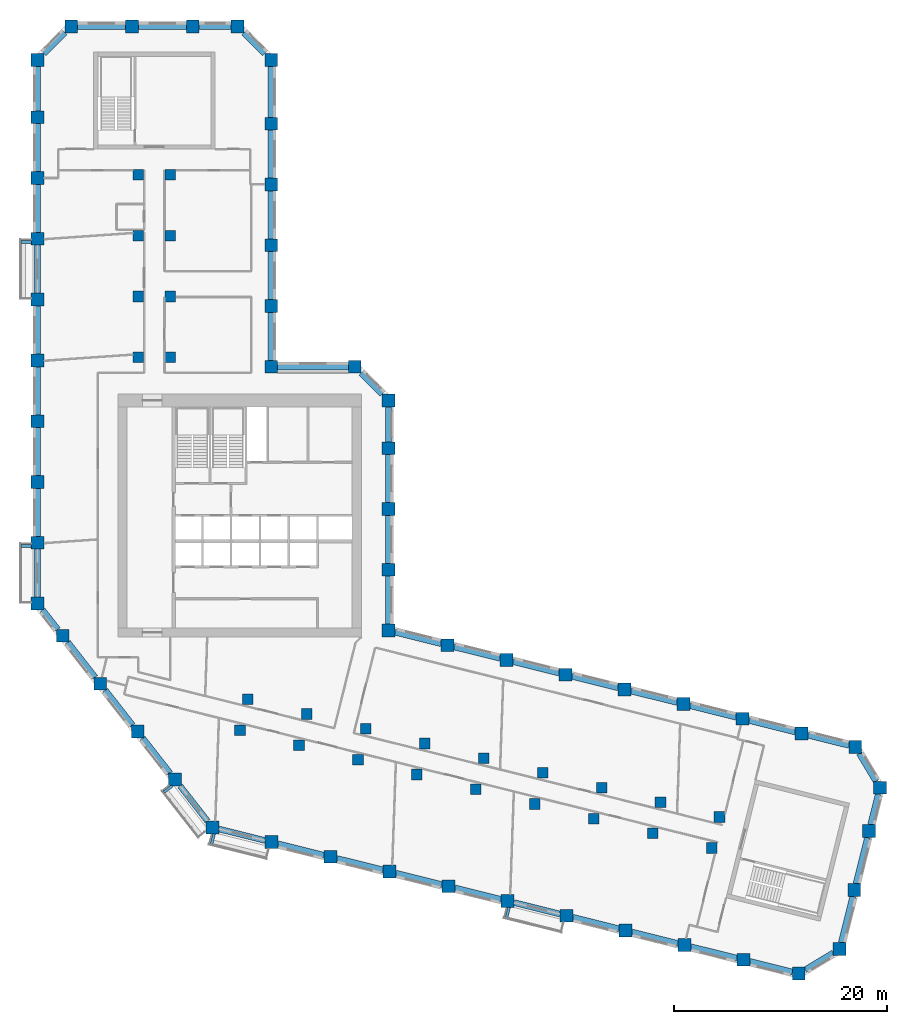
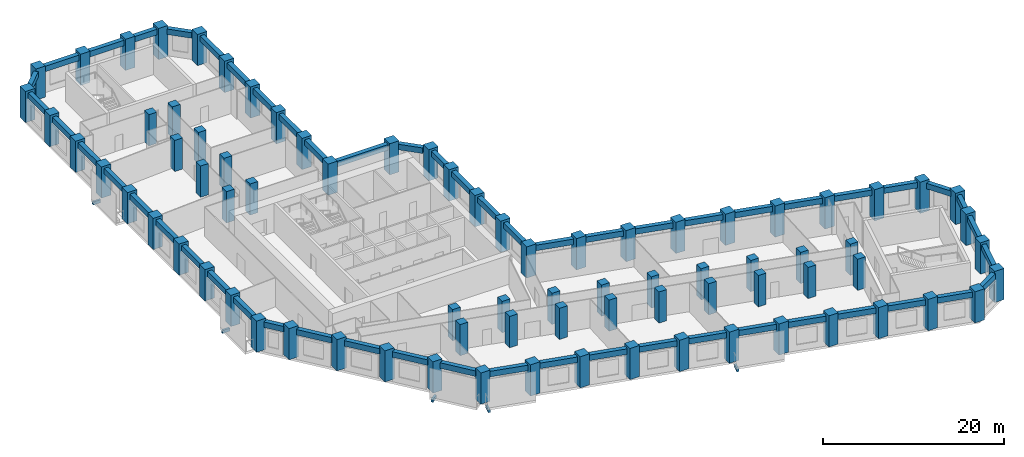
# One storey, part 1 of 10: 79 columns, 58 beams.
"""IFC4 building model written with IfcOpenShell, lengths in metres."""

from ifc_helpers import new_model, si_unit, direction, frame, origin, origin_2d, place, context, subcontext, project, spatial, rectangle, extrude, material, material_profile, profile_set, type_object, element, save


model = new_model("IFC4")

# Units and contexts
model_context = context("Model", 3, precision=1e-05, world=origin(), true_north=direction((0.0, 1.0)))
body_context = subcontext(model_context, "Body", "Model", "MODEL_VIEW")
ifc_project = project(units=[si_unit("LENGTHUNIT", "METRE"), si_unit("AREAUNIT", "SQUARE_METRE"), si_unit("VOLUMEUNIT", "CUBIC_METRE"), si_unit("PLANEANGLEUNIT", "RADIAN"), si_unit("MASSUNIT", "GRAM", prefix="KILO")], contexts=[model_context])

# Site, building, storey
site_placement = place(None, origin())
site = spatial("IfcSite", under=ifc_project, at=site_placement, CompositionType="ELEMENT")
building_placement = place(site_placement, origin())
building = spatial("IfcBuilding", under=site, at=building_placement, Name="Meshkara Civic Tower", CompositionType="ELEMENT")
storey_placement = place(building_placement, frame((0.0, 0.0, 165.60009765625)))
storey = spatial("IfcBuildingStorey", under=building, at=storey_placement, Name="L37", CompositionType="ELEMENT", Elevation=165.60009765625)

# Columns
ifc_material_1 = material(Name="Concrete C70", Category="concrete")
ifc_material_profile_1 = material_profile(ifc_material_1, rectangle(XDim=1.0, YDim=1.0, at=origin_2d()))
ifc_profile_set_1 = profile_set([ifc_material_profile_1], Name="Concrete C70")
column_type_1 = type_object("IfcColumnType", Name="Interior column RC 1000x1000 C70", PredefinedType="COLUMN", material=ifc_profile_set_1)
for number, where, z_axis, x_axis, name in (
    (1, (9.89990234375, 40.35009765625, 0.0), (0.0, 0.0, 1.0), (1.0, 0.0, 0.0), "Column SA1-04 L37"),
    (2, (9.89990234375, 46.050048828125, 0.0), (0.0, 0.0, 1.0), (1.0, 0.0, 0.0), "Column SA1-05 L37"),
    (3, (9.89990234375, 51.75, 0.0), (0.0, 0.0, 1.0), (1.0, 0.0, 0.0), "Column SA1-06 L37"),
    (4, (9.89990234375, 57.449951171875, 0.0), (0.0, 0.0, 1.0), (1.0, 0.0, 0.0), "Column SA1-07 L37"),
    (5, (12.89990234375, 40.35009765625, 0.0), (0.0, 0.0, 1.0), (1.0, 0.0, 0.0), "Column SA2-04 L37"),
    (6, (12.89990234375, 46.050048828125, 0.0), (0.0, 0.0, 1.0), (1.0, 0.0, 0.0), "Column SA2-05 L37"),
    (7, (12.89990234375, 51.75, 0.0), (0.0, 0.0, 1.0), (1.0, 0.0, 0.0), "Column SA2-06 L37"),
    (8, (12.89990234375, 57.449951171875, 0.0), (0.0, 0.0, 1.0), (1.0, 0.0, 0.0), "Column SA2-07 L37"),
    (9, (19.424072265625, 5.360107421875, 0.0), (0.0, 0.0, 1.0), (1.0, 0.0, 0.0), "Column SB1-00 L37"),
    (10, (24.9541015625, 3.98095703125, 0.0), (0.0, 0.0, 1.0), (1.0, 0.0, 0.0), "Column SB1-01 L37"),
    (11, (30.485107421875, 2.60205078125, 0.0), (0.0, 0.0, 1.0), (1.0, 0.0, 0.0), "Column SB1-02 L37"),
    (12, (36.01611328125, 1.222900390625, 0.0), (0.0, 0.0, 1.0), (1.0, 0.0, 0.0), "Column SB1-03 L37"),
    (13, (41.5458984375, -0.156005859375, 0.0), (0.0, 0.0, 1.0), (1.0, 0.0, 0.0), "Column SB1-04 L37"),
    (14, (47.076904296875, -1.534912109375, 0.0), (0.0, 0.0, 1.0), (1.0, 0.0, 0.0), "Column SB1-05 L37"),
    (15, (52.60791015625, -2.9140625, 0.0), (0.0, 0.0, 1.0), (1.0, 0.0, 0.0), "Column SB1-06 L37"),
    (16, (58.138916015625, -4.2919921875, 0.0), (0.0, 0.0, 1.0), (1.0, 0.0, 0.0), "Column SB1-07 L37"),
    (17, (63.6689453125, -5.6708984375, 0.0), (0.0, 0.0, 1.0), (1.0, 0.0, 0.0), "Column SB1-08 L37"),
    (18, (20.14892578125, 8.27099609375, 0.0), (0.0, 0.0, 1.0), (1.0, 0.0, 0.0), "Column SB2-00 L37"),
    (19, (25.679931640625, 6.89208984375, 0.0), (0.0, 0.0, 1.0), (1.0, 0.0, 0.0), "Column SB2-01 L37"),
    (20, (31.2109375, 5.512939453125, 0.0), (0.0, 0.0, 1.0), (1.0, 0.0, 0.0), "Column SB2-02 L37"),
    (21, (36.741943359375, 4.134033203125, 0.0), (0.0, 0.0, 1.0), (1.0, 0.0, 0.0), "Column SB2-03 L37"),
    (22, (42.27197265625, 2.7548828125, 0.0), (0.0, 0.0, 1.0), (1.0, 0.0, 0.0), "Column SB2-04 L37"),
    (23, (47.802978515625, 1.3759765625, 0.0), (0.0, 0.0, 1.0), (1.0, 0.0, 0.0), "Column SB2-05 L37"),
    (24, (53.333984375, -0.0029296875, 0.0), (0.0, 0.0, 1.0), (1.0, 0.0, 0.0), "Column SB2-06 L37"),
    (25, (58.864013671875, -1.382080078125, 0.0), (0.0, 0.0, 1.0), (1.0, 0.0, 0.0), "Column SB2-07 L37"),
    (26, (64.39501953125, -2.760986328125, 0.0), (0.0, 0.0, 1.0), (1.0, 0.0, 0.0), "Column SB2-08 L37"),
):
    element("IfcColumn", number, at=place(storey_placement, frame(where, z_axis=z_axis, x_axis=x_axis)), inside=storey, type_object=column_type_1, Name=name, PredefinedType="COLUMN", context=body_context, shape_type="SweptSolid", body=[
        extrude(rectangle(XDim=1.0, YDim=1.0, at=origin_2d()), origin(), (0.0, 0.0, 1.0), 4.199951171875),
    ])
ifc_material_2 = material(Name="Concrete C70", Category="concrete")
ifc_material_profile_2 = material_profile(ifc_material_2, rectangle(XDim=1.199951171875, YDim=1.199951171875, at=origin_2d()))
ifc_profile_set_2 = profile_set([ifc_material_profile_2], Name="Concrete C70")
column_type_2 = type_object("IfcColumnType", Name="Perimeter column RC 1200x1200 C70", PredefinedType="COLUMN", material=ifc_profile_set_2)
for number, where, z_axis, x_axis, name in (
    (27, (33.35009765625, 14.718994140625, 0.0), (0.0, 0.0, 1.0), (1.0, 0.0, 0.0), "Column HE00 L37"),
    (28, (33.35009765625, 20.4189453125, 0.0), (0.0, 0.0, 1.0), (1.0, 0.0, 0.0), "Column HE01 L37"),
    (29, (33.35009765625, 26.118896484375, 0.0), (0.0, 0.0, 1.0), (1.0, 0.0, 0.0), "Column HE02 L37"),
    (30, (33.35009765625, 31.819091796875, 0.0), (0.0, 0.0, 1.0), (1.0, 0.0, 0.0), "Column HE03 L37"),
    (31, (33.35009765625, 36.2939453125, 0.0), (0.0, 0.0, 1.0), (1.0, 0.0, 0.0), "Column HEE L37"),
    (32, (30.194091796875, 39.449951171875, 0.0), (0.0, 0.0, 1.0), (1.0, 0.0, 0.0), "Column HCeE L37"),
    (33, (22.35009765625, 39.449951171875, 0.0), (0.0, 0.0, 1.0), (1.0, 0.0, 0.0), "Column HN00 L37"),
    (34, (22.35009765625, 45.14990234375, 0.0), (0.0, 0.0, 1.0), (1.0, 0.0, 0.0), "Column AE01 L37"),
    (35, (22.35009765625, 50.85009765625, 0.0), (0.0, 0.0, 1.0), (1.0, 0.0, 0.0), "Column AE02 L37"),
    (36, (22.35009765625, 56.550048828125, 0.0), (0.0, 0.0, 1.0), (1.0, 0.0, 0.0), "Column AE03 L37"),
    (37, (22.35009765625, 62.25, 0.0), (0.0, 0.0, 1.0), (1.0, 0.0, 0.0), "Column AE04 L37"),
    (38, (22.35009765625, 68.214111328125, 0.0), (0.0, 0.0, 1.0), (1.0, 0.0, 0.0), "Column AEEP2 L37"),
    (39, (19.194091796875, 71.3701171875, 0.0), (0.0, 0.0, 1.0), (1.0, 0.0, 0.0), "Column ATiEP2 L37"),
    (40, (3.60595703125, 71.3701171875, 0.0), (0.0, 0.0, 1.0), (1.0, 0.0, 0.0), "Column AT00-P2 L37"),
    (41, (9.305908203125, 71.3701171875, 0.0), (0.0, 0.0, 1.0), (1.0, 0.0, 0.0), "Column AT01-P2 L37"),
    (42, (15.006103515625, 71.3701171875, 0.0), (0.0, 0.0, 1.0), (1.0, 0.0, 0.0), "Column AT02-P2 L37"),
    (43, (0.449951171875, 68.214111328125, 0.0), (0.0, 0.0, 1.0), (1.0, 0.0, 0.0), "Column ATo00-P2 L37"),
    (44, (0.449951171875, 17.2548828125, 0.0), (0.0, 0.0, 1.0), (1.0, 0.0, 0.0), "Column AW00 L37"),
    (45, (0.449951171875, 22.955078125, 0.0), (0.0, 0.0, 1.0), (1.0, 0.0, 0.0), "Column AW01 L37"),
    (46, (0.449951171875, 28.655029296875, 0.0), (0.0, 0.0, 1.0), (1.0, 0.0, 0.0), "Column AW02 L37"),
    (47, (0.449951171875, 34.35498046875, 0.0), (0.0, 0.0, 1.0), (1.0, 0.0, 0.0), "Column AW03 L37"),
    (48, (0.449951171875, 40.054931640625, 0.0), (0.0, 0.0, 1.0), (1.0, 0.0, 0.0), "Column AW04 L37"),
    (49, (0.449951171875, 45.7548828125, 0.0), (0.0, 0.0, 1.0), (1.0, 0.0, 0.0), "Column AW05 L37"),
    (50, (0.449951171875, 51.455078125, 0.0), (0.0, 0.0, 1.0), (1.0, 0.0, 0.0), "Column AW06 L37"),
    (51, (0.449951171875, 57.155029296875, 0.0), (0.0, 0.0, 1.0), (1.0, 0.0, 0.0), "Column AW07 L37"),
    (52, (0.449951171875, 62.85498046875, 0.0), (0.0, 0.0, 1.0), (1.0, 0.0, 0.0), "Column AW08 L37"),
    (53, (16.85107421875, -3.738037109375, 0.0), (0.0, 0.0, 1.0), (1.0, 0.0, 0.0), "Column BOW00 L37"),
    (54, (13.342041015625, 0.75390625, 0.0), (0.0, 0.0, 1.0), (1.0, 0.0, 0.0), "Column BOW01 L37"),
    (55, (9.8330078125, 5.2451171875, 0.0), (0.0, 0.0, 1.0), (1.0, 0.0, 0.0), "Column BOW02 L37"),
    (56, (6.322998046875, 9.737060546875, 0.0), (0.0, 0.0, 1.0), (1.0, 0.0, 0.0), "Column BOW03 L37"),
    (57, (2.81396484375, 14.22900390625, 0.0), (0.0, 0.0, 1.0), (1.0, 0.0, 0.0), "Column BOW04 L37"),
    (58, (22.382080078125, -5.116943359375, 0.0), (0.0, 0.0, 1.0), (1.0, 0.0, 0.0), "Column BS01 L37"),
    (59, (27.912109375, -6.49609375, 0.0), (0.0, 0.0, 1.0), (1.0, 0.0, 0.0), "Column BS02 L37"),
    (60, (33.443115234375, -7.875, 0.0), (0.0, 0.0, 1.0), (1.0, 0.0, 0.0), "Column BS03 L37"),
    (61, (38.97412109375, -9.2529296875, 0.0), (0.0, 0.0, 1.0), (1.0, 0.0, 0.0), "Column BS04-P1 L37"),
    (62, (44.5048828125, -10.632080078125, 0.0), (0.0, 0.0, 1.0), (1.0, 0.0, 0.0), "Column BS05 L37"),
    (63, (50.034912109375, -12.010986328125, 0.0), (0.0, 0.0, 1.0), (1.0, 0.0, 0.0), "Column BS06 L37"),
    (64, (55.56591796875, -13.389892578125, 0.0), (0.0, 0.0, 1.0), (1.0, 0.0, 0.0), "Column BS07 L37"),
    (65, (61.096923828125, -14.76904296875, 0.0), (0.0, 0.0, 1.0), (1.0, 0.0, 0.0), "Column BS08 L37"),
    (66, (66.626953125, -16.14794921875, 0.0), (0.0, 0.0, 1.0), (1.0, 0.0, 0.0), "Column BS09 L37"),
    (67, (71.826904296875, -17.444091796875, 0.0), (0.0, 0.0, 1.0), (1.0, 0.0, 0.0), "Column BSEP2 L37"),
    (68, (75.653076171875, -15.14501953125, 0.0), (0.0, 0.0, 1.0), (1.0, 0.0, 0.0), "Column BToEP2 L37"),
    (69, (77.031982421875, -9.614013671875, 0.0), (0.0, 0.0, 1.0), (1.0, 0.0, 0.0), "Column BT01-P2 L37"),
    (70, (78.410888671875, -4.083984375, 0.0), (0.0, 0.0, 1.0), (1.0, 0.0, 0.0), "Column BT02-P2 L37"),
    (71, (79.424072265625, -0.02099609375, 0.0), (0.0, 0.0, 1.0), (1.0, 0.0, 0.0), "Column BTEP2 L37"),
    (72, (77.125, 3.803955078125, 0.0), (0.0, 0.0, 1.0), (1.0, 0.0, 0.0), "Column BTi00-P2 L37"),
    (73, (38.881103515625, 13.340087890625, 0.0), (0.0, 0.0, 1.0), (1.0, 0.0, 0.0), "Column BN01 L37"),
    (74, (44.410888671875, 11.9609375, 0.0), (0.0, 0.0, 1.0), (1.0, 0.0, 0.0), "Column BN02 L37"),
    (75, (49.94189453125, 10.58203125, 0.0), (0.0, 0.0, 1.0), (1.0, 0.0, 0.0), "Column BN03 L37"),
    (76, (55.472900390625, 9.202880859375, 0.0), (0.0, 0.0, 1.0), (1.0, 0.0, 0.0), "Column BN04 L37"),
    (77, (61.0029296875, 7.823974609375, 0.0), (0.0, 0.0, 1.0), (1.0, 0.0, 0.0), "Column BN05 L37"),
    (78, (66.533935546875, 6.445068359375, 0.0), (0.0, 0.0, 1.0), (1.0, 0.0, 0.0), "Column BN06 L37"),
    (79, (72.06494140625, 5.06591796875, 0.0), (0.0, 0.0, 1.0), (1.0, 0.0, 0.0), "Column BN07 L37"),
):
    element("IfcColumn", number, at=place(storey_placement, frame(where, z_axis=z_axis, x_axis=x_axis)), inside=storey, type_object=column_type_2, Name=name, PredefinedType="COLUMN", context=body_context, shape_type="SweptSolid", body=[
        extrude(rectangle(XDim=1.199951171875, YDim=1.199951171875, at=origin_2d()), origin(), (0.0, 0.0, 1.0), 4.199951171875),
    ])

# Beams
ifc_material_3 = material(Name="Concrete C50", Category="concrete")
ifc_material_profile_3 = material_profile(ifc_material_3, rectangle(XDim=0.25, YDim=0.39990234375, at=origin_2d()))
ifc_profile_set_3 = profile_set([ifc_material_profile_3], Name="Concrete C50")
beam_type_1 = type_object("IfcBeamType", Name="Balcony bracket beam RC 250x400 C50", PredefinedType="BEAM", material=ifc_profile_set_3)
for number, where, z_axis, x_axis, name in (
    (80, (-0.14501953125, 51.155029296875, -0.5), (-1.0, 0.0, 0.0), (0.0, -1.0, 0.0), "Balcony bracket beam"),
    (81, (-0.14501953125, 22.655029296875, -0.5), (-1.0, 0.0, 0.0), (0.0, -1.0, 0.0), "Balcony bracket beam"),
):
    element("IfcBeam", number, at=place(storey_placement, frame(where, z_axis=z_axis, x_axis=x_axis)), inside=storey, type_object=beam_type_1, Name=name, PredefinedType="BEAM", context=body_context, shape_type="SweptSolid", body=[
        extrude(rectangle(XDim=0.25, YDim=0.39990234375, at=origin_2d()), origin(), (0.0, 0.0, 1.0), 0.955078125),
    ])
beam_1_placement = place(storey_placement, frame((13.06494140625, 0.156982421875, -0.5), z_axis=(-0.787905405849, -0.615796290533, 0.0), x_axis=(0.615796290533, -0.787905405849, 0.0)))
element("IfcBeam", 82, at=beam_1_placement, inside=storey, type_object=beam_type_1, Name="Balcony bracket beam", PredefinedType="BEAM", context=body_context, shape_type="SweptSolid", body=[
    extrude(rectangle(XDim=0.25, YDim=0.39990234375, at=origin_2d()), origin(), (0.0, 0.0, 1.0), 0.964599609375),
])
beam_2_placement = place(storey_placement, frame((17.011962890625, -4.3330078125, -0.5), z_axis=(-0.242194710816, -0.970227665063, 0.0), x_axis=(0.970227665063, -0.242194710816, 0.0)))
element("IfcBeam", 83, at=beam_2_placement, inside=storey, type_object=beam_type_1, Name="Balcony bracket beam", PredefinedType="BEAM", context=body_context, shape_type="SweptSolid", body=[
    extrude(rectangle(XDim=0.25, YDim=0.39990234375, at=origin_2d()), origin(), (0.0, 0.0, 1.0), 1.010986328125),
])
beam_3_placement = place(storey_placement, frame((44.666015625, -11.22705078125, -0.5), z_axis=(-0.24219504991, -0.970227580416, 0.0), x_axis=(0.970227580416, -0.24219504991, 0.0)))
element("IfcBeam", 84, at=beam_3_placement, inside=storey, type_object=beam_type_1, Name="Balcony bracket beam", PredefinedType="BEAM", context=body_context, shape_type="SweptSolid", body=[
    extrude(rectangle(XDim=0.25, YDim=0.39990234375, at=origin_2d()), origin(), (0.0, 0.0, 1.0), 1.011962890625),
])
ifc_material_4 = material(Name="Concrete C60", Category="concrete")
ifc_material_profile_4 = material_profile(ifc_material_4, rectangle(XDim=0.550048828125, YDim=0.75, at=origin_2d()))
ifc_profile_set_4 = profile_set([ifc_material_profile_4], Name="Concrete C60")
beam_type_2 = type_object("IfcBeamType", Name="Spandrel beam RC 550x750 C60", PredefinedType="BEAM", material=ifc_profile_set_4)
for number, where, z_axis, x_axis, name in (
    (85, (71.469970703125, 5.21435546875, 3.52490234375), (-0.970296390995, 0.241919229543, 0.0), (-0.241919229543, -0.970296390995, 0.0), "Spandrel beam BN06-BN07"),
    (86, (65.93896484375, 6.593505859375, 3.52490234375), (-0.970309199754, 0.241867850018, 0.0), (-0.241867850018, -0.970309199754, 0.0), "Spandrel beam BN05-BN06"),
):
    element("IfcBeam", number, at=place(storey_placement, frame(where, z_axis=z_axis, x_axis=x_axis)), inside=storey, type_object=beam_type_2, Name=name, PredefinedType="BEAM", context=body_context, shape_type="SweptSolid", body=[
        extrude(rectangle(XDim=0.550048828125, YDim=0.75, at=origin_2d()), origin(), (0.0, 0.0, 1.0), 4.4736328125),
    ])
beam_4_placement = place(storey_placement, frame((60.407958984375, 7.972412109375, 3.52490234375), z_axis=(-0.970283611566, 0.241970479865, 0.0), x_axis=(-0.241970479865, -0.970283611566, 0.0)))
element("IfcBeam", 87, at=beam_4_placement, inside=storey, type_object=beam_type_2, Name="Spandrel beam BN04-BN05", PredefinedType="BEAM", context=body_context, shape_type="SweptSolid", body=[
    extrude(rectangle(XDim=0.550048828125, YDim=0.75, at=origin_2d()), origin(), (0.0, 0.0, 1.0), 4.47265625),
])
for number, where, z_axis, x_axis, name in (
    (88, (54.8779296875, 9.351318359375, 3.52490234375), (-0.970296390995, 0.241919229543, 0.0), (-0.241919229543, -0.970296390995, 0.0), "Spandrel beam BN03-BN04"),
    (89, (49.346923828125, 10.73046875, 3.52490234375), (-0.970309199754, 0.241867850018, 0.0), (-0.241867850018, -0.970309199754, 0.0), "Spandrel beam BN02-BN03"),
):
    element("IfcBeam", number, at=place(storey_placement, frame(where, z_axis=z_axis, x_axis=x_axis)), inside=storey, type_object=beam_type_2, Name=name, PredefinedType="BEAM", context=body_context, shape_type="SweptSolid", body=[
        extrude(rectangle(XDim=0.550048828125, YDim=0.75, at=origin_2d()), origin(), (0.0, 0.0, 1.0), 4.4736328125),
    ])
beam_5_placement = place(storey_placement, frame((43.81591796875, 12.109375, 3.52490234375), z_axis=(-0.970283611566, 0.241970479865, 0.0), x_axis=(-0.241970479865, -0.970283611566, 0.0)))
element("IfcBeam", 90, at=beam_5_placement, inside=storey, type_object=beam_type_2, Name="Spandrel beam BN01-BN02", PredefinedType="BEAM", context=body_context, shape_type="SweptSolid", body=[
    extrude(rectangle(XDim=0.550048828125, YDim=0.75, at=origin_2d()), origin(), (0.0, 0.0, 1.0), 4.47265625),
])
beam_6_placement = place(storey_placement, frame((38.285888671875, 13.48828125, 3.52490234375), z_axis=(-0.970296390995, 0.241919229543, 0.0), x_axis=(-0.241919229543, -0.970296390995, 0.0)))
element("IfcBeam", 91, at=beam_6_placement, inside=storey, type_object=beam_type_2, Name="Spandrel beam BN01-HE00", PredefinedType="BEAM", context=body_context, shape_type="SweptSolid", body=[
    extrude(rectangle(XDim=0.550048828125, YDim=0.75, at=origin_2d()), origin(), (0.0, 0.0, 1.0), 4.4736328125),
])
for number, where, z_axis, x_axis, name in (
    (92, (33.35009765625, 15.31396484375, 3.52490234375), (0.0, 1.0, 0.0), (-1.0, 0.0, 0.0), "Spandrel beam HE00-HE01"),
    (93, (33.35009765625, 21.013916015625, 3.52490234375), (0.0, 1.0, 0.0), (-1.0, 0.0, 0.0), "Spandrel beam HE01-HE02"),
    (94, (33.35009765625, 26.714111328125, 3.52490234375), (0.0, 1.0, 0.0), (-1.0, 0.0, 0.0), "Spandrel beam HE02-HE03"),
):
    element("IfcBeam", number, at=place(storey_placement, frame(where, z_axis=z_axis, x_axis=x_axis)), inside=storey, type_object=beam_type_2, Name=name, PredefinedType="BEAM", context=body_context, shape_type="SweptSolid", body=[
        extrude(rectangle(XDim=0.550048828125, YDim=0.75, at=origin_2d()), origin(), (0.0, 0.0, 1.0), 4.510009765625),
    ])
beam_7_placement = place(storey_placement, frame((33.35009765625, 32.4140625, 3.52490234375), z_axis=(0.0, 1.0, 0.0), x_axis=(-1.0, 0.0, 0.0)))
element("IfcBeam", 95, at=beam_7_placement, inside=storey, type_object=beam_type_2, Name="Spandrel beam HE03-HEE", PredefinedType="BEAM", context=body_context, shape_type="SweptSolid", body=[
    extrude(rectangle(XDim=0.550048828125, YDim=0.75, at=origin_2d()), origin(), (0.0, 0.0, 1.0), 3.284912109375),
])
beam_8_placement = place(storey_placement, frame((32.75341796875, 36.890380859375, 3.52490234375), z_axis=(-0.707062808252, 0.707150751387, 0.0), x_axis=(-0.707150751387, -0.707062808252, 0.0)))
element("IfcBeam", 96, at=beam_8_placement, inside=storey, type_object=beam_type_2, Name="Spandrel beam HCeE-HEE", PredefinedType="BEAM", context=body_context, shape_type="SweptSolid", body=[
    extrude(rectangle(XDim=0.550048828125, YDim=0.75, at=origin_2d()), origin(), (0.0, 0.0, 1.0), 2.776123046875),
])
beam_9_placement = place(storey_placement, frame((29.59912109375, 39.449951171875, 3.52490234375), z_axis=(-1.0, 0.0, 0.0), x_axis=(0.0, -1.0, 0.0)))
element("IfcBeam", 97, at=beam_9_placement, inside=storey, type_object=beam_type_2, Name="Spandrel beam HCeE-HN00", PredefinedType="BEAM", context=body_context, shape_type="SweptSolid", body=[
    extrude(rectangle(XDim=0.550048828125, YDim=0.75, at=origin_2d()), origin(), (0.0, 0.0, 1.0), 6.654052734375),
])
beam_10_placement = place(storey_placement, frame((22.35009765625, 40.044921875, 3.52490234375), z_axis=(0.0, 1.0, 0.0), x_axis=(-1.0, 0.0, 0.0)))
element("IfcBeam", 98, at=beam_10_placement, inside=storey, type_object=beam_type_2, Name="Spandrel beam AE01-HN00", PredefinedType="BEAM", context=body_context, shape_type="SweptSolid", body=[
    extrude(rectangle(XDim=0.550048828125, YDim=0.75, at=origin_2d()), origin(), (0.0, 0.0, 1.0), 4.510009765625),
])
beam_11_placement = place(storey_placement, frame((22.35009765625, 45.7451171875, 3.52490234375), z_axis=(0.0, 1.0, 0.0), x_axis=(-1.0, 0.0, 0.0)))
element("IfcBeam", 99, at=beam_11_placement, inside=storey, type_object=beam_type_2, Name="Spandrel beam AE01-AE02", PredefinedType="BEAM", context=body_context, shape_type="SweptSolid", body=[
    extrude(rectangle(XDim=0.550048828125, YDim=0.75, at=origin_2d()), origin(), (0.0, 0.0, 1.0), 4.509765625),
])
for number, where, z_axis, x_axis, name in (
    (100, (22.35009765625, 51.445068359375, 3.52490234375), (0.0, 1.0, 0.0), (-1.0, 0.0, 0.0), "Spandrel beam AE02-AE03"),
    (101, (22.35009765625, 57.14501953125, 3.52490234375), (0.0, 1.0, 0.0), (-1.0, 0.0, 0.0), "Spandrel beam AE03-AE04"),
):
    element("IfcBeam", number, at=place(storey_placement, frame(where, z_axis=z_axis, x_axis=x_axis)), inside=storey, type_object=beam_type_2, Name=name, PredefinedType="BEAM", context=body_context, shape_type="SweptSolid", body=[
        extrude(rectangle(XDim=0.550048828125, YDim=0.75, at=origin_2d()), origin(), (0.0, 0.0, 1.0), 4.510009765625),
    ])
beam_12_placement = place(storey_placement, frame((22.35009765625, 62.844970703125, 3.52490234375), z_axis=(0.0, 1.0, 0.0), x_axis=(-1.0, 0.0, 0.0)))
element("IfcBeam", 102, at=beam_12_placement, inside=storey, type_object=beam_type_2, Name="Spandrel beam AE04-AEEP2", PredefinedType="BEAM", context=body_context, shape_type="SweptSolid", body=[
    extrude(rectangle(XDim=0.550048828125, YDim=0.75, at=origin_2d()), origin(), (0.0, 0.0, 1.0), 4.77392578125),
])
beam_13_placement = place(storey_placement, frame((21.75341796875, 68.810546875, 3.52490234375), z_axis=(-0.707106781187, 0.707106781187, 0.0), x_axis=(-0.707106781187, -0.707106781187, 0.0)))
element("IfcBeam", 103, at=beam_13_placement, inside=storey, type_object=beam_type_2, Name="Spandrel beam AEEP2-ATiEP2", PredefinedType="BEAM", context=body_context, shape_type="SweptSolid", body=[
    extrude(rectangle(XDim=0.550048828125, YDim=0.75, at=origin_2d()), origin(), (0.0, 0.0, 1.0), 2.77587890625),
])
beam_14_placement = place(storey_placement, frame((18.59912109375, 71.3701171875, 3.52490234375), z_axis=(-1.0, 0.0, 0.0), x_axis=(0.0, -1.0, 0.0)))
element("IfcBeam", 104, at=beam_14_placement, inside=storey, type_object=beam_type_2, Name="Spandrel beam AT02-P2-ATiEP2", PredefinedType="BEAM", context=body_context, shape_type="SweptSolid", body=[
    extrude(rectangle(XDim=0.550048828125, YDim=0.75, at=origin_2d()), origin(), (0.0, 0.0, 1.0), 2.998046875),
])
for number, where, z_axis, x_axis, name in (
    (105, (14.410888671875, 71.3701171875, 3.52490234375), (-1.0, 0.0, 0.0), (0.0, -1.0, 0.0), "Spandrel beam AT01-P2-AT02-P2"),
    (106, (8.7109375, 71.3701171875, 3.52490234375), (-1.0, 0.0, 0.0), (0.0, -1.0, 0.0), "Spandrel beam AT00-P2-AT01-P2"),
):
    element("IfcBeam", number, at=place(storey_placement, frame(where, z_axis=z_axis, x_axis=x_axis)), inside=storey, type_object=beam_type_2, Name=name, PredefinedType="BEAM", context=body_context, shape_type="SweptSolid", body=[
        extrude(rectangle(XDim=0.550048828125, YDim=0.75, at=origin_2d()), origin(), (0.0, 0.0, 1.0), 4.510009765625),
    ])
beam_15_placement = place(storey_placement, frame((3.009521484375, 70.7734375, 3.52490234375), z_axis=(-0.707150751387, -0.707062808252, 0.0), x_axis=(0.707062808252, -0.707150751387, 0.0)))
element("IfcBeam", 107, at=beam_15_placement, inside=storey, type_object=beam_type_2, Name="Spandrel beam AT00-P2-ATo00-P2", PredefinedType="BEAM", context=body_context, shape_type="SweptSolid", body=[
    extrude(rectangle(XDim=0.550048828125, YDim=0.75, at=origin_2d()), origin(), (0.0, 0.0, 1.0), 2.776123046875),
])
beam_16_placement = place(storey_placement, frame((0.449951171875, 67.618896484375, 3.52490234375), z_axis=(0.0, -1.0, 0.0), x_axis=(1.0, 0.0, 0.0)))
element("IfcBeam", 108, at=beam_16_placement, inside=storey, type_object=beam_type_2, Name="Spandrel beam ATo00-P2-AW08", PredefinedType="BEAM", context=body_context, shape_type="SweptSolid", body=[
    extrude(rectangle(XDim=0.550048828125, YDim=0.75, at=origin_2d()), origin(), (0.0, 0.0, 1.0), 4.1689453125),
])
for number, where, z_axis, x_axis, name in (
    (109, (0.449951171875, 62.260009765625, 3.52490234375), (0.0, -1.0, 0.0), (1.0, 0.0, 0.0), "Spandrel beam AW07-AW08"),
    (110, (0.449951171875, 56.56005859375, 3.52490234375), (0.0, -1.0, 0.0), (1.0, 0.0, 0.0), "Spandrel beam AW06-AW07"),
    (111, (0.449951171875, 50.860107421875, 3.52490234375), (0.0, -1.0, 0.0), (1.0, 0.0, 0.0), "Spandrel beam AW05-AW06"),
    (112, (0.449951171875, 45.159912109375, 3.52490234375), (0.0, -1.0, 0.0), (1.0, 0.0, 0.0), "Spandrel beam AW04-AW05"),
    (113, (0.449951171875, 39.4599609375, 3.52490234375), (0.0, -1.0, 0.0), (1.0, 0.0, 0.0), "Spandrel beam AW03-AW04"),
    (114, (0.449951171875, 33.760009765625, 3.52490234375), (0.0, -1.0, 0.0), (1.0, 0.0, 0.0), "Spandrel beam AW02-AW03"),
    (115, (0.449951171875, 28.06005859375, 3.52490234375), (0.0, -1.0, 0.0), (1.0, 0.0, 0.0), "Spandrel beam AW01-AW02"),
    (116, (0.449951171875, 22.360107421875, 3.52490234375), (0.0, -1.0, 0.0), (1.0, 0.0, 0.0), "Spandrel beam AW00-AW01"),
):
    element("IfcBeam", number, at=place(storey_placement, frame(where, z_axis=z_axis, x_axis=x_axis)), inside=storey, type_object=beam_type_2, Name=name, PredefinedType="BEAM", context=body_context, shape_type="SweptSolid", body=[
        extrude(rectangle(XDim=0.550048828125, YDim=0.75, at=origin_2d()), origin(), (0.0, 0.0, 1.0), 4.510009765625),
    ])
beam_17_placement = place(storey_placement, frame((0.915771484375, 16.658935546875, 3.52490234375), z_axis=(0.615646077935, -0.788022783124, 0.0), x_axis=(0.788022783124, 0.615646077935, 0.0)))
element("IfcBeam", 117, at=beam_17_placement, inside=storey, type_object=beam_type_2, Name="Spandrel beam AW00-BOW04", PredefinedType="BEAM", context=body_context, shape_type="SweptSolid", body=[
    extrude(rectangle(XDim=0.550048828125, YDim=0.75, at=origin_2d()), origin(), (0.0, 0.0, 1.0), 2.326904296875),
])
beam_18_placement = place(storey_placement, frame((3.279541015625, 13.6328125, 3.52490234375), z_axis=(0.615630464754, -0.788034980738, 0.0), x_axis=(0.788034980738, 0.615630464754, 0.0)))
element("IfcBeam", 118, at=beam_18_placement, inside=storey, type_object=beam_type_2, Name="Spandrel beam BOW03-BOW04", PredefinedType="BEAM", context=body_context, shape_type="SweptSolid", body=[
    extrude(rectangle(XDim=0.550048828125, YDim=0.75, at=origin_2d()), origin(), (0.0, 0.0, 1.0), 4.1875),
])
beam_19_placement = place(storey_placement, frame((6.788818359375, 9.140869140625, 3.52490234375), z_axis=(0.61570287025, -0.787978410596, 0.0), x_axis=(0.787978410596, 0.61570287025, 0.0)))
element("IfcBeam", 119, at=beam_19_placement, inside=storey, type_object=beam_type_2, Name="Spandrel beam BOW02-BOW03", PredefinedType="BEAM", context=body_context, shape_type="SweptSolid", body=[
    extrude(rectangle(XDim=0.550048828125, YDim=0.75, at=origin_2d()), origin(), (0.0, 0.0, 1.0), 4.187744140625),
])
beam_20_placement = place(storey_placement, frame((10.298583984375, 4.64892578125, 3.52490234375), z_axis=(0.615707413829, -0.787974860358, 0.0), x_axis=(0.787974860358, 0.615707413829, 0.0)))
element("IfcBeam", 120, at=beam_20_placement, inside=storey, type_object=beam_type_2, Name="Spandrel beam BOW01-BOW02", PredefinedType="BEAM", context=body_context, shape_type="SweptSolid", body=[
    extrude(rectangle(XDim=0.550048828125, YDim=0.75, at=origin_2d()), origin(), (0.0, 0.0, 1.0), 4.1865234375),
])
beam_21_placement = place(storey_placement, frame((13.8076171875, 0.157958984375, 3.52490234375), z_axis=(0.615630464754, -0.788034980738, 0.0), x_axis=(0.788034980738, 0.615630464754, 0.0)))
element("IfcBeam", 121, at=beam_21_placement, inside=storey, type_object=beam_type_2, Name="Spandrel beam BOW00-BOW01", PredefinedType="BEAM", context=body_context, shape_type="SweptSolid", body=[
    extrude(rectangle(XDim=0.550048828125, YDim=0.75, at=origin_2d()), origin(), (0.0, 0.0, 1.0), 4.1875),
])
beam_22_placement = place(storey_placement, frame((17.446044921875, -3.886474609375, 3.52490234375), z_axis=(0.970309199754, -0.241867850018, 0.0), x_axis=(0.241867850018, 0.970309199754, 0.0)))
element("IfcBeam", 122, at=beam_22_placement, inside=storey, type_object=beam_type_2, Name="Spandrel beam BOW00-BS01", PredefinedType="BEAM", context=body_context, shape_type="SweptSolid", body=[
    extrude(rectangle(XDim=0.550048828125, YDim=0.75, at=origin_2d()), origin(), (0.0, 0.0, 1.0), 4.4736328125),
])
beam_23_placement = place(storey_placement, frame((22.97705078125, -5.265380859375, 3.52490234375), z_axis=(0.970283611566, -0.241970479865, 0.0), x_axis=(0.241970479865, 0.970283611566, 0.0)))
element("IfcBeam", 123, at=beam_23_placement, inside=storey, type_object=beam_type_2, Name="Spandrel beam BS01-BS02", PredefinedType="BEAM", context=body_context, shape_type="SweptSolid", body=[
    extrude(rectangle(XDim=0.550048828125, YDim=0.75, at=origin_2d()), origin(), (0.0, 0.0, 1.0), 4.47265625),
])
for number, where, z_axis, x_axis, name in (
    (124, (28.507080078125, -6.644287109375, 3.52490234375), (0.970296390995, -0.241919229543, 0.0), (0.241919229543, 0.970296390995, 0.0), "Spandrel beam BS02-BS03"),
    (125, (34.0380859375, -8.023193359375, 3.52490234375), (0.970334810126, -0.241765084863, 0.0), (0.241765084863, 0.970334810126, 0.0), "Spandrel beam BS03-BS04-P1"),
    (126, (39.569091796875, -9.4013671875, 3.52490234375), (0.970296390995, -0.241919229543, 0.0), (0.241919229543, 0.970296390995, 0.0), "Spandrel beam BS04-P1-BS05"),
):
    element("IfcBeam", number, at=place(storey_placement, frame(where, z_axis=z_axis, x_axis=x_axis)), inside=storey, type_object=beam_type_2, Name=name, PredefinedType="BEAM", context=body_context, shape_type="SweptSolid", body=[
        extrude(rectangle(XDim=0.550048828125, YDim=0.75, at=origin_2d()), origin(), (0.0, 0.0, 1.0), 4.4736328125),
    ])
beam_24_placement = place(storey_placement, frame((45.10009765625, -10.780517578125, 3.52490234375), z_axis=(0.970296425585, -0.241919090807, 0.0), x_axis=(0.241919090807, 0.970296425585, 0.0)))
element("IfcBeam", 127, at=beam_24_placement, inside=storey, type_object=beam_type_2, Name="Spandrel beam BS05-BS06", PredefinedType="BEAM", context=body_context, shape_type="SweptSolid", body=[
    extrude(rectangle(XDim=0.550048828125, YDim=0.75, at=origin_2d()), origin(), (0.0, 0.0, 1.0), 4.47265625),
])
for number, where, z_axis, x_axis, name in (
    (128, (50.630126953125, -12.159423828125, 3.52490234375), (0.970296390995, -0.241919229543, 0.0), (0.241919229543, 0.970296390995, 0.0), "Spandrel beam BS06-BS07"),
    (129, (56.1611328125, -13.538330078125, 3.52490234375), (0.970296390995, -0.241919229543, 0.0), (0.241919229543, 0.970296390995, 0.0), "Spandrel beam BS07-BS08"),
):
    element("IfcBeam", number, at=place(storey_placement, frame(where, z_axis=z_axis, x_axis=x_axis)), inside=storey, type_object=beam_type_2, Name=name, PredefinedType="BEAM", context=body_context, shape_type="SweptSolid", body=[
        extrude(rectangle(XDim=0.550048828125, YDim=0.75, at=origin_2d()), origin(), (0.0, 0.0, 1.0), 4.4736328125),
    ])
beam_25_placement = place(storey_placement, frame((61.692138671875, -14.91748046875, 3.52490234375), z_axis=(0.970296425585, -0.241919090807, 0.0), x_axis=(0.241919090807, 0.970296425585, 0.0)))
element("IfcBeam", 130, at=beam_25_placement, inside=storey, type_object=beam_type_2, Name="Spandrel beam BS08-BS09", PredefinedType="BEAM", context=body_context, shape_type="SweptSolid", body=[
    extrude(rectangle(XDim=0.550048828125, YDim=0.75, at=origin_2d()), origin(), (0.0, 0.0, 1.0), 4.47265625),
])
beam_26_placement = place(storey_placement, frame((67.22216796875, -16.29638671875, 3.52490234375), z_axis=(0.970322944839, -0.241812701731, 0.0), x_axis=(0.241812701731, 0.970322944839, 0.0)))
element("IfcBeam", 131, at=beam_26_placement, inside=storey, type_object=beam_type_2, Name="Spandrel beam BS09-BSEP2", PredefinedType="BEAM", context=body_context, shape_type="SweptSolid", body=[
    extrude(rectangle(XDim=0.550048828125, YDim=0.75, at=origin_2d()), origin(), (0.0, 0.0, 1.0), 4.13232421875),
])
beam_27_placement = place(storey_placement, frame((72.422607421875, -17.0859375, 3.52490234375), z_axis=(0.85718440509, 0.515009607358, 0.0), x_axis=(-0.515009607358, 0.85718440509, 0.0)))
element("IfcBeam", 132, at=beam_27_placement, inside=storey, type_object=beam_type_2, Name="Spandrel beam BSEP2-BToEP2", PredefinedType="BEAM", context=body_context, shape_type="SweptSolid", body=[
    extrude(rectangle(XDim=0.550048828125, YDim=0.75, at=origin_2d()), origin(), (0.0, 0.0, 1.0), 3.07373046875),
])
beam_28_placement = place(storey_placement, frame((75.801513671875, -14.5498046875, 3.52490234375), z_axis=(0.241867850018, 0.970309199754, 0.0), x_axis=(-0.970309199754, 0.241867850018, 0.0)))
element("IfcBeam", 133, at=beam_28_placement, inside=storey, type_object=beam_type_2, Name="Spandrel beam BT01-P2-BToEP2", PredefinedType="BEAM", context=body_context, shape_type="SweptSolid", body=[
    extrude(rectangle(XDim=0.550048828125, YDim=0.75, at=origin_2d()), origin(), (0.0, 0.0, 1.0), 4.4736328125),
])
beam_29_placement = place(storey_placement, frame((77.180419921875, -9.018798828125, 3.52490234375), z_axis=(0.241983295733, 0.97028041544, 0.0), x_axis=(-0.97028041544, 0.241983295733, 0.0)))
element("IfcBeam", 134, at=beam_29_placement, inside=storey, type_object=beam_type_2, Name="Spandrel beam BT01-P2-BT02-P2", PredefinedType="BEAM", context=body_context, shape_type="SweptSolid", body=[
    extrude(rectangle(XDim=0.550048828125, YDim=0.75, at=origin_2d()), origin(), (0.0, 0.0, 1.0), 4.472412109375),
])
beam_30_placement = place(storey_placement, frame((78.559326171875, -3.489013671875, 3.52490234375), z_axis=(0.241934114249, 0.970292679743, 0.0), x_axis=(-0.970292679743, 0.241934114249, 0.0)))
element("IfcBeam", 135, at=beam_30_placement, inside=storey, type_object=beam_type_2, Name="Spandrel beam BT02-P2-BTEP2", PredefinedType="BEAM", context=body_context, shape_type="SweptSolid", body=[
    extrude(rectangle(XDim=0.550048828125, YDim=0.75, at=origin_2d()), origin(), (0.0, 0.0, 1.0), 2.960693359375),
])
beam_31_placement = place(storey_placement, frame((79.06591796875, 0.57470703125, 3.52490234375), z_axis=(-0.515126606613, 0.857114099265, 0.0), x_axis=(-0.857114099265, -0.515126606613, 0.0)))
element("IfcBeam", 136, at=beam_31_placement, inside=storey, type_object=beam_type_2, Name="Spandrel beam BTEP2-BTi00-P2", PredefinedType="BEAM", context=body_context, shape_type="SweptSolid", body=[
    extrude(rectangle(XDim=0.550048828125, YDim=0.75, at=origin_2d()), origin(), (0.0, 0.0, 1.0), 3.072509765625),
])
beam_32_placement = place(storey_placement, frame((76.52978515625, 3.952392578125, 3.52490234375), z_axis=(-0.970279182293, 0.241988240227, 0.0), x_axis=(-0.241988240227, -0.970279182293, 0.0)))
element("IfcBeam", 137, at=beam_32_placement, inside=storey, type_object=beam_type_2, Name="Spandrel beam BN07-BTi00-P2", PredefinedType="BEAM", context=body_context, shape_type="SweptSolid", body=[
    extrude(rectangle(XDim=0.550048828125, YDim=0.75, at=origin_2d()), origin(), (0.0, 0.0, 1.0), 3.98828125),
])

save(model, "model.ifc")
